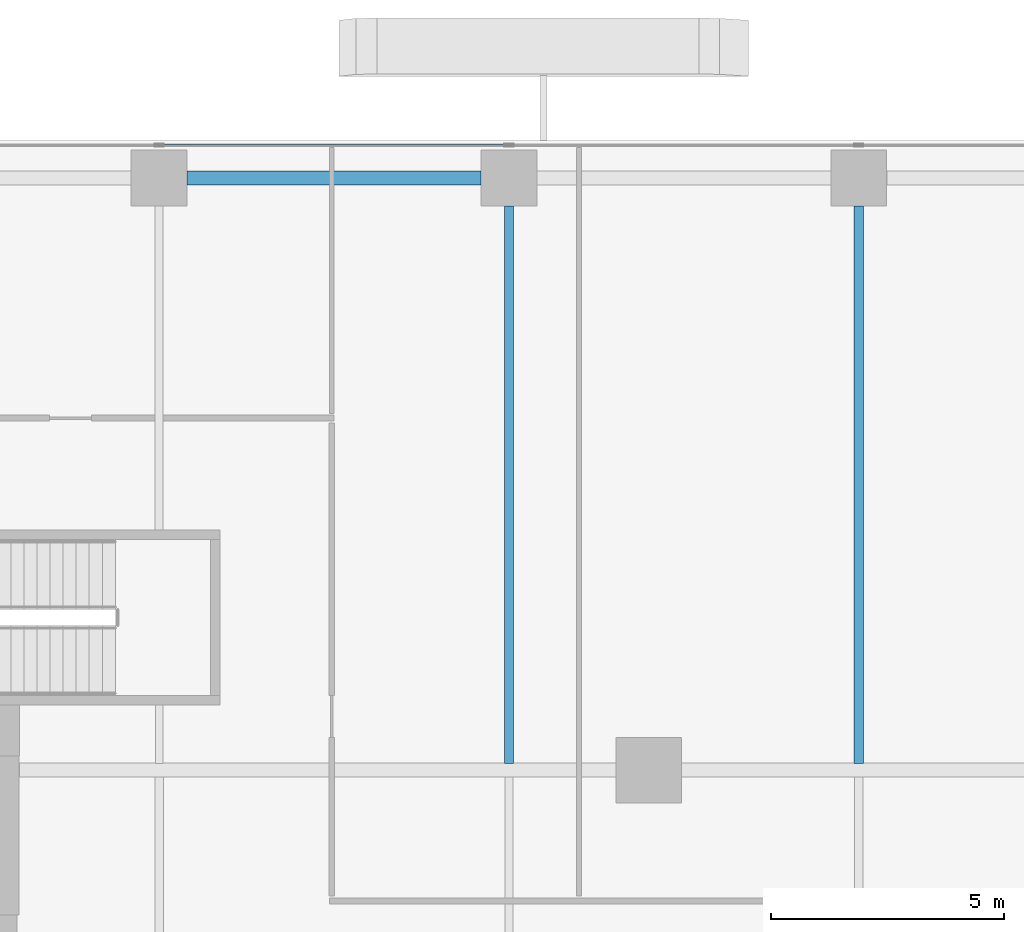
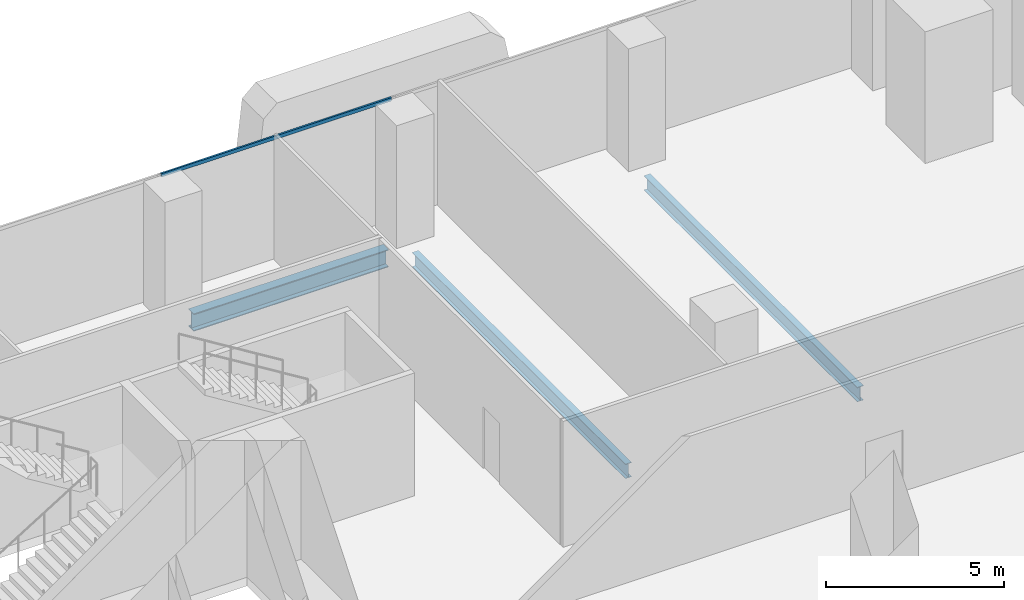
# One storey, part 18 of 35: 3 beams, 1 member, 1 element without a shape of its own.
"""IFC4 building model written with IfcOpenShell, lengths in metres."""

from ifc_helpers import new_model, si_unit, direction, frame, origin, origin_2d, place, context, subcontext, project, spatial, hollow_rectangle, i_section, extrude, source, transform, mapped, material, material_profile, profile_set, type_object, element, aggregate, save


model = new_model("IFC4")

# Units and contexts
model_context = context("Model", 3, precision=1e-05, world=origin(), true_north=direction((0.0, 1.0)))
body_context = subcontext(model_context, "Body", "Model", "MODEL_VIEW")
ifc_project = project(units=[si_unit("LENGTHUNIT", "METRE"), si_unit("AREAUNIT", "SQUARE_METRE"), si_unit("VOLUMEUNIT", "CUBIC_METRE"), si_unit("PLANEANGLEUNIT", "RADIAN"), si_unit("MASSUNIT", "GRAM", prefix="KILO")], contexts=[model_context])

# Site, building, storey
site_placement = place(None, origin())
site = spatial("IfcSite", under=ifc_project, at=site_placement, CompositionType="ELEMENT")
building_placement = place(site_placement, origin())
building = spatial("IfcBuilding", under=site, at=building_placement, Name="Khomas Fold Tower", CompositionType="ELEMENT")
storey_placement = place(building_placement, frame((0.0, 0.0, 69.0)))
storey = spatial("IfcBuildingStorey", under=building, at=storey_placement, Name="L14", CompositionType="ELEMENT", Elevation=69.0)

# Beams
ifc_material_1 = material(Name="Steel S355", Category="steel")
ifc_material_profile_1 = material_profile(ifc_material_1, i_section(OverallWidth=0.300048828125, OverallDepth=0.60009765625, WebThickness=0.015380859375, FlangeThickness=0.030029296875, at=origin_2d()), Name="HE 600 B")
ifc_profile_set_1 = profile_set([ifc_material_profile_1], Name="Steel S355")
beam_type_1 = type_object("IfcBeamType", Name="HE 600 B spandrel SB1", PredefinedType="SPANDREL", material=ifc_profile_set_1)
shared_shape_1 = source(origin(), body_context, "Body", "SweptSolid", [
    extrude(i_section(OverallWidth=0.300048828125, OverallDepth=0.60009765625, WebThickness=0.015380859375, FlangeThickness=0.030029296875, at=origin_2d()), origin(), (0.0, 0.0, 1.0), 6.2998046875),
])
beam_placement = place(storey_placement, frame((27.60009765625, 53.199951171875, -0.60009765625), z_axis=(1.0, 0.0, 0.0), x_axis=(0.0, 1.0, 0.0)))
element("IfcBeam", 1, at=beam_placement, inside=storey, type_object=beam_type_1, Name="SB1", PredefinedType="SPANDREL", context=body_context, shape_type="MappedRepresentation", body=[
    mapped(shared_shape_1, transform((0.0, 0.0, 0.0))),
])
ifc_material_2 = material(Name="Steel S355", Category="steel")
ifc_material_profile_2 = material_profile(ifc_material_2, i_section(OverallWidth=0.199951171875, OverallDepth=0.5, WebThickness=0.01025390625, FlangeThickness=0.01611328125, at=origin_2d()), Name="IPE 500")
ifc_profile_set_2 = profile_set([ifc_material_profile_2], Name="Steel S355")
beam_type_2 = type_object("IfcBeamType", Name="IPE 500 beam JB5", PredefinedType="BEAM", material=ifc_profile_set_2)
shared_shape_2 = source(origin(), body_context, "Body", "SweptSolid", [
    extrude(i_section(OverallWidth=0.199951171875, OverallDepth=0.5, WebThickness=0.01025390625, FlangeThickness=0.01611328125, at=origin_2d()), origin(), (0.0, 0.0, 1.0), 11.9501953125),
])
for number, where, z_axis, x_axis, name in (
    (2, (34.5, 40.64990234375, -0.550048828125), (0.0, 1.0, 0.0), (-1.0, 0.0, 0.0), "JB5"),
    (3, (42.0, 40.64990234375, -0.550048828125), (0.0, 1.0, 0.0), (-1.0, 0.0, 0.0), "JB5"),
):
    element("IfcBeam", number, at=place(storey_placement, frame(where, z_axis=z_axis, x_axis=x_axis)), inside=storey, type_object=beam_type_2, Name=name, PredefinedType="BEAM", context=body_context, shape_type="MappedRepresentation", body=[
        mapped(shared_shape_2, transform((0.0, 0.0, 0.0))),
    ])

# Curtain wall, member
ifc_material_3 = material(Name="Aluminium framed double glazing", Category="aluminium")
curtain_wall_type = type_object("IfcCurtainWallType", Name="SK-Unitised clear-glass wall, growing floors CW1", PredefinedType="NOTDEFINED", material=ifc_material_3)
curtain_wall_placement = place(storey_placement, origin())
curtain_wall = element("IfcCurtainWall", 4, at=curtain_wall_placement, inside=storey, type_object=curtain_wall_type, Name="CW1 run L14 06-0", PredefinedType="NOTDEFINED")
ifc_material_4 = material(Name="Aluminium", Category="aluminium")
ifc_material_profile_3 = material_profile(ifc_material_4, hollow_rectangle(XDim=0.06005859375, YDim=0.1201171875, WallThickness=0.00390625, at=origin_2d()), Name="SK-Unitised clear-glass wall, growing floors transom CW1-T")
ifc_profile_set_3 = profile_set([ifc_material_profile_3], Name="Aluminium")
member_type = type_object("IfcMemberType", Name="SK-Unitised clear-glass wall, growing floors transom CW1-T", PredefinedType="USERDEFINED", material=ifc_profile_set_3)
shared_shape_3 = source(origin(), body_context, "Body", "SweptSolid", [
    extrude(hollow_rectangle(XDim=0.06005859375, YDim=0.1201171875, WallThickness=0.00390625, at=origin_2d()), origin(), (0.0, 0.0, 1.0), 7.43994140625),
])
member_placement = place(storey_placement, frame((34.469970703125, 53.89990234375, 4.139892578125), z_axis=(-1.0, 0.0, 0.0), x_axis=(0.0, -1.0, 0.0)))
member = element("IfcMember", 5, at=member_placement, type_object=member_type, Name="CW1 transom 4", ObjectType="TRANSOM", PredefinedType="USERDEFINED", context=body_context, shape_type="MappedRepresentation", body=[
    mapped(shared_shape_3, transform((0.0, 0.0, 0.0))),
])
aggregate(curtain_wall, [member])

save(model, "model.ifc")
